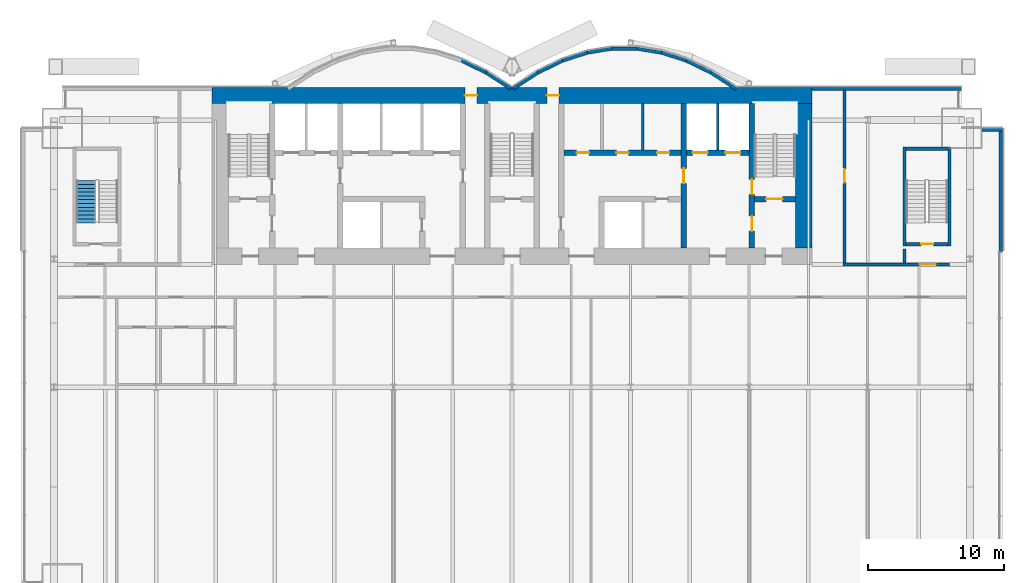
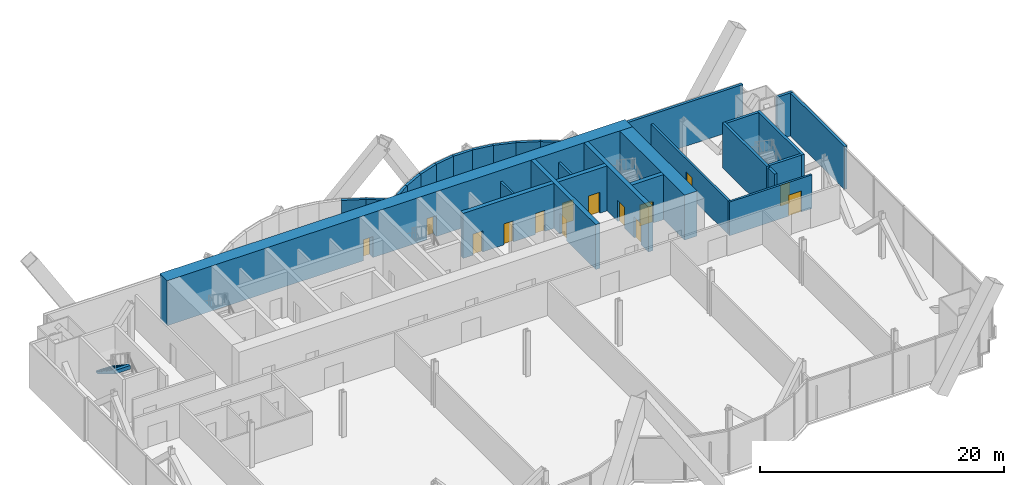
# One storey, part 17 of 21: 29 walls, 14 doors, 1 stair flight, 14 openings, 1 element without a shape of its own.
"""IFC4 building model written with IfcOpenShell, lengths in metres."""

from ifc_helpers import new_model, si_unit, direction, frame, frame_2d, origin, place, context, subcontext, project, spatial, polyline, rectangle, outline, extrude, material, layer, layer_set, layer_usage, type_object, element, fill, aggregate, save


model = new_model("IFC4")

# Units and contexts
model_context = context("Model", 3, precision=1e-05, world=origin(), true_north=direction((0.0, 1.0)))
body_context = subcontext(model_context, "Body", "Model", "MODEL_VIEW")
ifc_project = project(units=[si_unit("LENGTHUNIT", "METRE"), si_unit("AREAUNIT", "SQUARE_METRE"), si_unit("VOLUMEUNIT", "CUBIC_METRE"), si_unit("PLANEANGLEUNIT", "RADIAN"), si_unit("MASSUNIT", "GRAM", prefix="KILO")], contexts=[model_context])

# Site, building, storey
site_placement = place(None, origin())
site = spatial("IfcSite", under=ifc_project, at=site_placement, CompositionType="ELEMENT")
building_placement = place(site_placement, origin())
building = spatial("IfcBuilding", under=site, at=building_placement, Name="Bicima Exchange Tower", CompositionType="ELEMENT")
storey_placement = place(building_placement, frame((0.0, 0.0, 80.0)))
storey = spatial("IfcBuildingStorey", under=building, at=storey_placement, Name="L16", CompositionType="ELEMENT", Elevation=80.0)

# Wall
ifc_material_1 = material(Name="Gypsum board partition")
ifc_layer_1 = layer(ifc_material_1, 0.199951171875)
ifc_layer_set_1 = layer_set([ifc_layer_1], Name="Gypsum board partition")
wall_type_1 = type_object("IfcWallType", Name="Fire-rated gypsum partition 200 EI120", PredefinedType="PARTITIONING", material=ifc_layer_set_1)
wall_1_placement = place(storey_placement, frame((15.10009765625, -4.60009765625, 0.0), z_axis=(0.0, 0.0, 1.0), x_axis=(0.0, 1.0, 0.0)))
element("IfcWall", 1, at=wall_1_placement, inside=storey, type_object=wall_type_1, Name="partition wall 24", PredefinedType="PARTITIONING", context=body_context, shape_type="SweptSolid", body=[
    extrude(rectangle(XDim=3.400146484375, YDim=0.199951171875, at=frame_2d((1.7001953125, 0.0))), origin(), (0.0, 0.0, 1.0), 3.3681640625),
])

# Wall, opening, door
ifc_layer_2 = layer(ifc_material_1, 0.199951171875)
ifc_layer_set_2 = layer_set([ifc_layer_2], Name="Gypsum board partition")
wall_type_2 = type_object("IfcWallType", Name="Fire-rated gypsum partition 200 EI60", PredefinedType="PARTITIONING", material=ifc_layer_set_2)
wall_2_placement = place(storey_placement, frame((24.300048828125, -13.0, 0.0), z_axis=(0.0, 0.0, 1.0), x_axis=(1.0, 0.0, 0.0)))
wall_2 = element("IfcWall", 2, at=wall_2_placement, inside=storey, type_object=wall_type_2, Name="partition wall 5", PredefinedType="PARTITIONING", context=body_context, shape_type="SweptSolid", body=[
    extrude(rectangle(XDim=7.800048828125, YDim=0.199951171875, at=frame_2d((3.89990234375, 0.0))), origin(), (0.0, 0.0, 1.0), 3.3681640625),
])
opening_1_placement = place(wall_2_placement, frame((5.60009765625, 0.0, 0.0)))
opening_1 = element("IfcOpeningElement", 3, at=opening_1_placement, cuts=wall_2, Name="Opening L16-003", PredefinedType="OPENING", context=body_context, shape_type="SweptSolid", body=[
    extrude(rectangle(XDim=1.199951171875, YDim=2.10009765625, at=frame_2d((0.60009765625, 1.050048828125))), frame((0.0, 0.11181640625, 0.0), z_axis=(0.0, -1.0, 0.0), x_axis=(1.0, 0.0, 0.0)), (0.0, 0.0, 1.0), 0.223876953125),
])
ifc_material_2 = material(Name="Steel fire door leaf", Category="steel")
door_type_1 = type_object("IfcDoorType", Name="Door 1200 swing FD30S", OperationType="SINGLE_SWING_LEFT", PredefinedType="DOOR", material=ifc_material_2)
door_1_placement = place(opening_1_placement, origin())
door_1 = element("IfcDoor", 4, at=door_1_placement, inside=storey, type_object=door_type_1, Name="Door", OperationType="SINGLE_SWING_RIGHT", OverallHeight=2.10009765625, OverallWidth=1.199951171875, PredefinedType="DOOR", context=body_context, shape_type="SweptSolid", body=[
    extrude(rectangle(XDim=1.199951171875, YDim=2.10009765625, at=frame_2d((0.60009765625, 1.050048828125))), frame((0.0, 0.02490234375, 0.0), z_axis=(0.0, -1.0, 0.0), x_axis=(1.0, 0.0, 0.0)), (0.0, 0.0, 1.0), 0.050048828125),
])
fill(opening_1, door_1)

wall_3_placement = place(storey_placement, frame((24.39990234375, -12.89990234375, 0.0), z_axis=(0.0, 0.0, 1.0), x_axis=(0.0, 1.0, 0.0)))
wall_3 = element("IfcWall", 5, at=wall_3_placement, inside=storey, type_object=wall_type_2, Name="partition wall 24", PredefinedType="PARTITIONING", context=body_context, shape_type="SweptSolid", body=[
    extrude(rectangle(XDim=12.68994140625, YDim=0.199951171875, at=frame_2d((6.344970703125, 0.0))), origin(), (0.0, 0.0, 1.0), 3.3681640625),
])
opening_2_placement = place(wall_3_placement, frame((5.89990234375, 0.0, 0.0)))
opening_2 = element("IfcOpeningElement", 6, at=opening_2_placement, cuts=wall_3, Name="Opening L16-006", PredefinedType="OPENING", context=body_context, shape_type="SweptSolid", body=[
    extrude(rectangle(XDim=1.0, YDim=2.10009765625, at=frame_2d((0.5, 1.050048828125))), frame((0.0, 0.11181640625, 0.0), z_axis=(0.0, -1.0, 0.0), x_axis=(1.0, 0.0, 0.0)), (0.0, 0.0, 1.0), 0.223876953125),
])
door_type_2 = type_object("IfcDoorType", Name="Door 1000 swing FD30S", OperationType="SINGLE_SWING_LEFT", PredefinedType="DOOR", material=ifc_material_2)
door_2_placement = place(opening_2_placement, frame((1.0, 0.0, 0.0), z_axis=(0.0, 0.0, 1.0), x_axis=(-1.0, 0.0, 0.0)))
door_2 = element("IfcDoor", 7, at=door_2_placement, inside=storey, type_object=door_type_2, Name="Door", OperationType="SINGLE_SWING_RIGHT", OverallHeight=2.10009765625, OverallWidth=1.0, PredefinedType="DOOR", context=body_context, shape_type="SweptSolid", body=[
    extrude(rectangle(XDim=1.0, YDim=2.10009765625, at=frame_2d((0.5, 1.050048828125))), frame((0.0, 0.02490234375, 0.0), z_axis=(0.0, -1.0, 0.0), x_axis=(1.0, 0.0, 0.0)), (0.0, 0.0, 1.0), 0.050048828125),
])
fill(opening_2, door_2)

# Wall
wall_4_placement = place(storey_placement, frame((9.60009765625, -4.60009765625, 0.0), z_axis=(0.0, 0.0, 1.0), x_axis=(0.0, 1.0, 0.0)))
element("IfcWall", 8, at=wall_4_placement, inside=storey, type_object=wall_type_2, Name="partition wall 22", PredefinedType="PARTITIONING", context=body_context, shape_type="SweptSolid", body=[
    extrude(rectangle(XDim=3.400146484375, YDim=0.199951171875, at=frame_2d((1.7001953125, 0.0))), origin(), (0.0, 0.0, 1.0), 3.3681640625),
])

# Wall, openings, doors
ifc_material_3 = material(Name="Concrete C60/75", Category="concrete")
ifc_layer_3 = layer(ifc_material_3, 1.199951171875)
ifc_layer_set_3 = layer_set([ifc_layer_3], Name="Concrete C60/75")
wall_type_3 = type_object("IfcWallType", Name="RC core wall 1200 C60/75", PredefinedType="SHEAR", material=ifc_layer_set_3)
wall_5_placement = place(storey_placement, frame((-22.0, -0.60009765625, 0.0), z_axis=(0.0, 0.0, 1.0), x_axis=(1.0, 0.0, 0.0)))
wall_5 = element("IfcWall", 9, at=wall_5_placement, inside=storey, type_object=wall_type_3, Name="Core wall north", PredefinedType="SHEAR", context=body_context, shape_type="SweptSolid", body=[
    extrude(rectangle(XDim=44.0, YDim=1.199951171875, at=frame_2d((22.0, 0.0))), origin(), (0.0, 0.0, 1.0), 4.5),
])
opening_3_placement = place(wall_5_placement, frame((18.550048828125, 0.0, 0.0)))
opening_3 = element("IfcOpeningElement", 10, at=opening_3_placement, cuts=wall_5, Name="Opening L16-C17", PredefinedType="OPENING", context=body_context, shape_type="SweptSolid", body=[
    extrude(rectangle(XDim=0.89990234375, YDim=2.10009765625, at=frame_2d((0.449951171875, 1.050048828125))), frame((0.0, 0.61181640625, 0.0), z_axis=(0.0, -1.0, 0.0), x_axis=(1.0, 0.0, 0.0)), (0.0, 0.0, 1.0), 1.223876953125),
])
opening_4_placement = place(wall_5_placement, frame((24.550048828125, 0.0, 0.0)))
opening_4 = element("IfcOpeningElement", 11, at=opening_4_placement, cuts=wall_5, Name="Opening L16-C18", PredefinedType="OPENING", context=body_context, shape_type="SweptSolid", body=[
    extrude(rectangle(XDim=0.89990234375, YDim=2.10009765625, at=frame_2d((0.449951171875, 1.050048828125))), frame((0.0, 0.61181640625, 0.0), z_axis=(0.0, -1.0, 0.0), x_axis=(1.0, 0.0, 0.0)), (0.0, 0.0, 1.0), 1.223876953125),
])
door_type_3 = type_object("IfcDoorType", Name="Door 900 swing FD30S", OperationType="SINGLE_SWING_LEFT", PredefinedType="DOOR", material=ifc_material_2)
door_3_placement = place(opening_3_placement, origin())
door_3 = element("IfcDoor", 12, at=door_3_placement, inside=storey, type_object=door_type_3, Name="Core door", OperationType="SINGLE_SWING_LEFT", OverallHeight=2.10009765625, OverallWidth=0.89990234375, PredefinedType="DOOR", context=body_context, shape_type="SweptSolid", body=[
    extrude(rectangle(XDim=0.89990234375, YDim=2.10009765625, at=frame_2d((0.449951171875, 1.050048828125))), frame((0.0, 0.02490234375, 0.0), z_axis=(0.0, -1.0, 0.0), x_axis=(1.0, 0.0, 0.0)), (0.0, 0.0, 1.0), 0.050048828125),
])
fill(opening_3, door_3)
door_4_placement = place(opening_4_placement, origin())
door_4 = element("IfcDoor", 13, at=door_4_placement, inside=storey, type_object=door_type_3, Name="Core door", OperationType="SINGLE_SWING_LEFT", OverallHeight=2.10009765625, OverallWidth=0.89990234375, PredefinedType="DOOR", context=body_context, shape_type="SweptSolid", body=[
    extrude(rectangle(XDim=0.89990234375, YDim=2.10009765625, at=frame_2d((0.449951171875, 1.050048828125))), frame((0.0, 0.02490234375, 0.0), z_axis=(0.0, -1.0, 0.0), x_axis=(1.0, 0.0, 0.0)), (0.0, 0.0, 1.0), 0.050048828125),
])
fill(opening_4, door_4)

# Walls
wall_6_placement = place(storey_placement, frame((21.39990234375, -11.800048828125, 0.0), z_axis=(0.0, 0.0, 1.0), x_axis=(0.0, 1.0, 0.0)))
element("IfcWall", 14, at=wall_6_placement, inside=storey, type_object=wall_type_3, Name="Core wall east", PredefinedType="SHEAR", context=body_context, shape_type="SweptSolid", body=[
    extrude(rectangle(XDim=10.60009765625, YDim=1.199951171875, at=frame_2d((5.300048828125, 0.0))), origin(), (0.0, 0.0, 1.0), 4.5),
])
ifc_material_4 = material(Name="Concrete C50/60", Category="concrete")
ifc_layer_4 = layer(ifc_material_4, 0.25)
ifc_layer_set_4 = layer_set([ifc_layer_4], Name="Concrete C50/60")
wall_type_4 = type_object("IfcWallType", Name="RC core wall 250 C50/60", PredefinedType="SHEAR", material=ifc_layer_set_4)
wall_7_placement = place(storey_placement, frame((28.800048828125, -12.89990234375, 0.0), z_axis=(0.0, 0.0, 1.0), x_axis=(0.0, 1.0, 0.0)))
element("IfcWall", 15, at=wall_7_placement, inside=storey, type_object=wall_type_4, Name="stair wall 26", PredefinedType="SHEAR", context=body_context, shape_type="SweptSolid", body=[
    extrude(rectangle(XDim=1.0498046875, YDim=0.25, at=frame_2d((0.52490234375, 0.0))), origin(), (0.0, 0.0, 1.0), 4.5),
])

# Wall, opening, door
ifc_layer_5 = layer(ifc_material_4, 0.39990234375)
ifc_layer_set_5 = layer_set([ifc_layer_5], Name="Concrete C50/60")
wall_type_5 = type_object("IfcWallType", Name="RC core wall 400 C50/60", PredefinedType="SHEAR", material=ifc_layer_set_5)
wall_8_placement = place(storey_placement, frame((17.800048828125, -8.199951171875, 0.0), z_axis=(0.0, 0.0, 1.0), x_axis=(1.0, 0.0, 0.0)))
wall_8 = element("IfcWall", 16, at=wall_8_placement, inside=storey, type_object=wall_type_5, Name="stair wall 5", PredefinedType="SHEAR", context=body_context, shape_type="SweptSolid", body=[
    extrude(rectangle(XDim=3.0, YDim=0.39990234375, at=frame_2d((1.5, 0.0))), origin(), (0.0, 0.0, 1.0), 4.5),
])
opening_5_placement = place(wall_8_placement, frame((0.85009765625, 0.0, 0.0)))
opening_5 = element("IfcOpeningElement", 17, at=opening_5_placement, cuts=wall_8, Name="Opening L16-C04", PredefinedType="OPENING", context=body_context, shape_type="SweptSolid", body=[
    extrude(rectangle(XDim=1.199951171875, YDim=2.10009765625, at=frame_2d((0.60009765625, 1.050048828125))), frame((0.0, 0.2119140625, 0.0), z_axis=(0.0, -1.0, 0.0), x_axis=(1.0, 0.0, 0.0)), (0.0, 0.0, 1.0), 0.423828125),
])
door_type_4 = type_object("IfcDoorType", Name="Door 1200 swing FD60S", OperationType="SINGLE_SWING_LEFT", PredefinedType="DOOR", material=ifc_material_2)
door_5_placement = place(opening_5_placement, origin())
door_5 = element("IfcDoor", 18, at=door_5_placement, inside=storey, type_object=door_type_4, Name="Core door", OperationType="SINGLE_SWING_RIGHT", OverallHeight=2.10009765625, OverallWidth=1.199951171875, PredefinedType="DOOR", context=body_context, shape_type="SweptSolid", body=[
    extrude(rectangle(XDim=1.199951171875, YDim=2.10009765625, at=frame_2d((0.60009765625, 1.050048828125))), frame((0.0, 0.02490234375, 0.0), z_axis=(0.0, -1.0, 0.0), x_axis=(1.0, 0.0, 0.0)), (0.0, 0.0, 1.0), 0.050048828125),
])
fill(opening_5, door_5)

# Wall, openings, doors
wall_9_placement = place(storey_placement, frame((17.60009765625, -11.800048828125, 0.0), z_axis=(0.0, 0.0, 1.0), x_axis=(0.0, 1.0, 0.0)))
wall_9 = element("IfcWall", 19, at=wall_9_placement, inside=storey, type_object=wall_type_5, Name="stair wall 25", PredefinedType="SHEAR", context=body_context, shape_type="SweptSolid", body=[
    extrude(rectangle(XDim=10.60009765625, YDim=0.39990234375, at=frame_2d((5.300048828125, 0.0))), origin(), (0.0, 0.0, 1.0), 4.5),
])
opening_6_placement = place(wall_9_placement, frame((1.25, 0.0, 0.0)))
opening_6 = element("IfcOpeningElement", 20, at=opening_6_placement, cuts=wall_9, Name="Opening L16-C05", PredefinedType="OPENING", context=body_context, shape_type="SweptSolid", body=[
    extrude(rectangle(XDim=1.10009765625, YDim=2.10009765625, at=frame_2d((0.550048828125, 1.050048828125))), frame((0.0, 0.2119140625, 0.0), z_axis=(0.0, -1.0, 0.0), x_axis=(1.0, 0.0, 0.0)), (0.0, 0.0, 1.0), 0.423828125),
])
opening_7_placement = place(wall_9_placement, frame((3.949951171875, 0.0, 0.0)))
opening_7 = element("IfcOpeningElement", 21, at=opening_7_placement, cuts=wall_9, Name="Opening L16-C08", PredefinedType="OPENING", context=body_context, shape_type="SweptSolid", body=[
    extrude(rectangle(XDim=1.10009765625, YDim=2.10009765625, at=frame_2d((0.550048828125, 1.050048828125))), frame((0.0, 0.2119140625, 0.0), z_axis=(0.0, -1.0, 0.0), x_axis=(1.0, 0.0, 0.0)), (0.0, 0.0, 1.0), 0.423828125),
])
door_type_5 = type_object("IfcDoorType", Name="Door 1100 swing FD60S", OperationType="SINGLE_SWING_LEFT", PredefinedType="DOOR", material=ifc_material_2)
door_6_placement = place(opening_6_placement, origin())
door_6 = element("IfcDoor", 22, at=door_6_placement, inside=storey, type_object=door_type_5, Name="Core door", OperationType="SINGLE_SWING_LEFT", OverallHeight=2.10009765625, OverallWidth=1.10009765625, PredefinedType="DOOR", context=body_context, shape_type="SweptSolid", body=[
    extrude(rectangle(XDim=1.10009765625, YDim=2.10009765625, at=frame_2d((0.550048828125, 1.050048828125))), frame((0.0, 0.02490234375, 0.0), z_axis=(0.0, -1.0, 0.0), x_axis=(1.0, 0.0, 0.0)), (0.0, 0.0, 1.0), 0.050048828125),
])
fill(opening_6, door_6)
door_7_placement = place(opening_7_placement, origin())
door_7 = element("IfcDoor", 23, at=door_7_placement, inside=storey, type_object=door_type_5, Name="Core door", OperationType="SINGLE_SWING_RIGHT", OverallHeight=2.10009765625, OverallWidth=1.10009765625, PredefinedType="DOOR", context=body_context, shape_type="SweptSolid", body=[
    extrude(rectangle(XDim=1.10009765625, YDim=2.10009765625, at=frame_2d((0.550048828125, 1.050048828125))), frame((0.0, 0.02490234375, 0.0), z_axis=(0.0, -1.0, 0.0), x_axis=(1.0, 0.0, 0.0)), (0.0, 0.0, 1.0), 0.050048828125),
])
fill(opening_7, door_7)

ifc_layer_6 = layer(ifc_material_3, 0.39990234375)
ifc_layer_set_6 = layer_set([ifc_layer_6], Name="Concrete C60/75")
wall_type_6 = type_object("IfcWallType", Name="RC core wall 400 C60/75", PredefinedType="SHEAR", material=ifc_layer_set_6)
wall_10_placement = place(storey_placement, frame((3.800048828125, -4.800048828125, 0.0), z_axis=(0.0, 0.0, 1.0), x_axis=(1.0, 0.0, 0.0)))
wall_10 = element("IfcWall", 24, at=wall_10_placement, inside=storey, type_object=wall_type_6, Name="shear wall 7", PredefinedType="SHEAR", context=body_context, shape_type="SweptSolid", body=[
    extrude(rectangle(XDim=13.599853515625, YDim=0.39990234375, at=frame_2d((6.7998046875, 0.0))), origin(), (0.0, 0.0, 1.0), 4.5),
])
opening_8_placement = place(wall_10_placement, frame((9.449951171875, 0.0, 0.0)))
opening_8 = element("IfcOpeningElement", 25, at=opening_8_placement, cuts=wall_10, Name="Opening LD-FF2-L16", PredefinedType="OPENING", context=body_context, shape_type="SweptSolid", body=[
    extrude(rectangle(XDim=1.10009765625, YDim=2.10009765625, at=frame_2d((0.550048828125, 1.050048828125))), frame((0.0, 0.2119140625, 0.0), z_axis=(0.0, -1.0, 0.0), x_axis=(1.0, 0.0, 0.0)), (0.0, 0.0, 1.0), 0.423828125),
])
opening_9_placement = place(wall_10_placement, frame((11.85009765625, 0.0, 0.0)))
opening_9 = element("IfcOpeningElement", 26, at=opening_9_placement, cuts=wall_10, Name="Opening LD-SV1-L16", PredefinedType="OPENING", context=body_context, shape_type="SweptSolid", body=[
    extrude(rectangle(XDim=1.10009765625, YDim=2.10009765625, at=frame_2d((0.550048828125, 1.050048828125))), frame((0.0, 0.2119140625, 0.0), z_axis=(0.0, -1.0, 0.0), x_axis=(1.0, 0.0, 0.0)), (0.0, 0.0, 1.0), 0.423828125),
])
opening_10_placement = place(wall_10_placement, frame((0.949951171875, 0.0, 0.0)))
opening_10 = element("IfcOpeningElement", 27, at=opening_10_placement, cuts=wall_10, Name="Opening L16-C12", PredefinedType="OPENING", context=body_context, shape_type="SweptSolid", body=[
    extrude(rectangle(XDim=0.89990234375, YDim=2.10009765625, at=frame_2d((0.449951171875, 1.050048828125))), frame((0.0, 0.2119140625, 0.0), z_axis=(0.0, -1.0, 0.0), x_axis=(1.0, 0.0, 0.0)), (0.0, 0.0, 1.0), 0.423828125),
])
opening_11_placement = place(wall_10_placement, frame((3.85009765625, 0.0, 0.0)))
opening_11 = element("IfcOpeningElement", 28, at=opening_11_placement, cuts=wall_10, Name="Opening L16-C13", PredefinedType="OPENING", context=body_context, shape_type="SweptSolid", body=[
    extrude(rectangle(XDim=0.89990234375, YDim=2.10009765625, at=frame_2d((0.449951171875, 1.050048828125))), frame((0.0, 0.2119140625, 0.0), z_axis=(0.0, -1.0, 0.0), x_axis=(1.0, 0.0, 0.0)), (0.0, 0.0, 1.0), 0.423828125),
])
opening_12_placement = place(wall_10_placement, frame((6.85009765625, 0.0, 0.0)))
opening_12 = element("IfcOpeningElement", 29, at=opening_12_placement, cuts=wall_10, Name="Opening L16-C14", PredefinedType="OPENING", context=body_context, shape_type="SweptSolid", body=[
    extrude(rectangle(XDim=0.89990234375, YDim=2.10009765625, at=frame_2d((0.449951171875, 1.050048828125))), frame((0.0, 0.2119140625, 0.0), z_axis=(0.0, -1.0, 0.0), x_axis=(1.0, 0.0, 0.0)), (0.0, 0.0, 1.0), 0.423828125),
])
door_8_placement = place(opening_10_placement, origin())
door_8 = element("IfcDoor", 30, at=door_8_placement, inside=storey, type_object=door_type_3, Name="Core door", OperationType="SINGLE_SWING_RIGHT", OverallHeight=2.10009765625, OverallWidth=0.89990234375, PredefinedType="DOOR", context=body_context, shape_type="SweptSolid", body=[
    extrude(rectangle(XDim=0.89990234375, YDim=2.10009765625, at=frame_2d((0.449951171875, 1.050048828125))), frame((0.0, 0.02490234375, 0.0), z_axis=(0.0, -1.0, 0.0), x_axis=(1.0, 0.0, 0.0)), (0.0, 0.0, 1.0), 0.050048828125),
])
fill(opening_10, door_8)
door_9_placement = place(opening_11_placement, origin())
door_9 = element("IfcDoor", 31, at=door_9_placement, inside=storey, type_object=door_type_3, Name="Core door", OperationType="SINGLE_SWING_LEFT", OverallHeight=2.10009765625, OverallWidth=0.89990234375, PredefinedType="DOOR", context=body_context, shape_type="SweptSolid", body=[
    extrude(rectangle(XDim=0.89990234375, YDim=2.10009765625, at=frame_2d((0.449951171875, 1.050048828125))), frame((0.0, 0.02490234375, 0.0), z_axis=(0.0, -1.0, 0.0), x_axis=(1.0, 0.0, 0.0)), (0.0, 0.0, 1.0), 0.050048828125),
])
fill(opening_11, door_9)
door_10_placement = place(opening_12_placement, origin())
door_10 = element("IfcDoor", 32, at=door_10_placement, inside=storey, type_object=door_type_3, Name="Core door", OperationType="SINGLE_SWING_RIGHT", OverallHeight=2.10009765625, OverallWidth=0.89990234375, PredefinedType="DOOR", context=body_context, shape_type="SweptSolid", body=[
    extrude(rectangle(XDim=0.89990234375, YDim=2.10009765625, at=frame_2d((0.449951171875, 1.050048828125))), frame((0.0, 0.02490234375, 0.0), z_axis=(0.0, -1.0, 0.0), x_axis=(1.0, 0.0, 0.0)), (0.0, 0.0, 1.0), 0.050048828125),
])
fill(opening_12, door_10)
ifc_material_5 = material(Name="Stainless steel", Category="steel")
door_type_6 = type_object("IfcDoorType", Name="Lift landing door 1100 sliding", OperationType="DOUBLE_DOOR_SLIDING", PredefinedType="DOOR", material=ifc_material_5)
door_11_placement = place(opening_8_placement, origin())
door_11 = element("IfcDoor", 33, at=door_11_placement, inside=storey, type_object=door_type_6, Name="Lift landing door FF2", OperationType="DOUBLE_DOOR_SLIDING", OverallHeight=2.10009765625, OverallWidth=1.10009765625, PredefinedType="DOOR", context=body_context, shape_type="SweptSolid", body=[
    extrude(rectangle(XDim=1.10009765625, YDim=2.10009765625, at=frame_2d((0.550048828125, 1.050048828125))), frame((0.0, 0.02490234375, 0.0), z_axis=(0.0, -1.0, 0.0), x_axis=(1.0, 0.0, 0.0)), (0.0, 0.0, 1.0), 0.050048828125),
])
fill(opening_8, door_11)
door_12_placement = place(opening_9_placement, origin())
door_12 = element("IfcDoor", 34, at=door_12_placement, inside=storey, type_object=door_type_6, Name="Lift landing door SV1", OperationType="DOUBLE_DOOR_SLIDING", OverallHeight=2.10009765625, OverallWidth=1.10009765625, PredefinedType="DOOR", context=body_context, shape_type="SweptSolid", body=[
    extrude(rectangle(XDim=1.10009765625, YDim=2.10009765625, at=frame_2d((0.550048828125, 1.050048828125))), frame((0.0, 0.02490234375, 0.0), z_axis=(0.0, -1.0, 0.0), x_axis=(1.0, 0.0, 0.0)), (0.0, 0.0, 1.0), 0.050048828125),
])
fill(opening_9, door_12)

# Wall, opening, door
wall_11_placement = place(storey_placement, frame((12.60009765625, -11.800048828125, 0.0), z_axis=(0.0, 0.0, 1.0), x_axis=(0.0, 1.0, 0.0)))
wall_11 = element("IfcWall", 35, at=wall_11_placement, inside=storey, type_object=wall_type_6, Name="shear wall 23", PredefinedType="SHEAR", context=body_context, shape_type="SweptSolid", body=[
    extrude(rectangle(XDim=10.60009765625, YDim=0.39990234375, at=frame_2d((5.300048828125, 0.0))), origin(), (0.0, 0.0, 1.0), 4.5),
])
opening_13_placement = place(wall_11_placement, frame((4.75, 0.0, 0.0)))
opening_13 = element("IfcOpeningElement", 36, at=opening_13_placement, cuts=wall_11, Name="Opening L16-C09", PredefinedType="OPENING", context=body_context, shape_type="SweptSolid", body=[
    extrude(rectangle(XDim=1.10009765625, YDim=2.10009765625, at=frame_2d((0.550048828125, 1.050048828125))), frame((0.0, 0.2119140625, 0.0), z_axis=(0.0, -1.0, 0.0), x_axis=(1.0, 0.0, 0.0)), (0.0, 0.0, 1.0), 0.423828125),
])
door_13_placement = place(opening_13_placement, frame((1.10009765625, 0.0, 0.0), z_axis=(0.0, 0.0, 1.0), x_axis=(-1.0, 0.0, 0.0)))
door_13 = element("IfcDoor", 37, at=door_13_placement, inside=storey, type_object=door_type_5, Name="Core door", OperationType="SINGLE_SWING_RIGHT", OverallHeight=2.10009765625, OverallWidth=1.10009765625, PredefinedType="DOOR", context=body_context, shape_type="SweptSolid", body=[
    extrude(rectangle(XDim=1.10009765625, YDim=2.10009765625, at=frame_2d((0.550048828125, 1.050048828125))), frame((0.0, 0.02490234375, 0.0), z_axis=(0.0, -1.0, 0.0), x_axis=(1.0, 0.0, 0.0)), (0.0, 0.0, 1.0), 0.050048828125),
])
fill(opening_13, door_13)

# Walls
ifc_layer_7 = layer(ifc_material_4, 0.25)
ifc_layer_set_7 = layer_set([ifc_layer_7], Name="Concrete C50/60")
wall_type_7 = type_object("IfcWallType", Name="RC stair enclosure wall 250 C50/60", PredefinedType="SHEAR", material=ifc_layer_set_7)
for number, where, z_axis, x_axis, name in (
    (38, (28.800048828125, -11.625, 0.0), (0.0, 0.0, 1.0), (0.0, 1.0, 0.0), "East end exit stair wall W"),
    (39, (32.10009765625, -11.625, 0.0), (0.0, 0.0, 1.0), (0.0, 1.0, 0.0), "East end exit stair wall E"),
):
    element("IfcWall", number, at=place(storey_placement, frame(where, z_axis=z_axis, x_axis=x_axis)), inside=storey, type_object=wall_type_7, Name=name, PredefinedType="SHEAR", context=body_context, shape_type="SweptSolid", body=[
        extrude(rectangle(XDim=7.25, YDim=0.25, at=frame_2d((3.625, 0.0))), origin(), (0.0, 0.0, 1.0), 4.5),
    ])

# Wall, opening, door
wall_12_placement = place(storey_placement, frame((28.925048828125, -11.5, 0.0), z_axis=(0.0, 0.0, 1.0), x_axis=(1.0, 0.0, 0.0)))
wall_12 = element("IfcWall", 40, at=wall_12_placement, inside=storey, type_object=wall_type_7, Name="East end exit stair wall S", PredefinedType="SHEAR", context=body_context, shape_type="SweptSolid", body=[
    extrude(rectangle(XDim=3.050048828125, YDim=0.25, at=frame_2d((1.52490234375, 0.0))), origin(), (0.0, 0.0, 1.0), 4.5),
])
opening_14_placement = place(wall_12_placement, frame((1.10009765625, 0.0, 0.0)))
opening_14 = element("IfcOpeningElement", 41, at=opening_14_placement, cuts=wall_12, Name="Opening L16-004", PredefinedType="OPENING", context=body_context, shape_type="SweptSolid", body=[
    extrude(rectangle(XDim=0.89990234375, YDim=2.10009765625, at=frame_2d((0.449951171875, 1.050048828125))), frame((0.0, 0.136962890625, 0.0), z_axis=(0.0, -1.0, 0.0), x_axis=(1.0, 0.0, 0.0)), (0.0, 0.0, 1.0), 0.27392578125),
])
door_type_7 = type_object("IfcDoorType", Name="Door 900 swing FD60S", OperationType="SINGLE_SWING_LEFT", PredefinedType="DOOR", material=ifc_material_2)
door_14_placement = place(opening_14_placement, origin())
door_14 = element("IfcDoor", 42, at=door_14_placement, inside=storey, type_object=door_type_7, Name="Door", OperationType="SINGLE_SWING_LEFT", OverallHeight=2.10009765625, OverallWidth=0.89990234375, PredefinedType="DOOR", context=body_context, shape_type="SweptSolid", body=[
    extrude(rectangle(XDim=0.89990234375, YDim=2.10009765625, at=frame_2d((0.449951171875, 1.050048828125))), frame((0.0, 0.02490234375, 0.0), z_axis=(0.0, -1.0, 0.0), x_axis=(1.0, 0.0, 0.0)), (0.0, 0.0, 1.0), 0.050048828125),
])
fill(opening_14, door_14)

# Walls
wall_13_placement = place(storey_placement, frame((28.925048828125, -4.5, 0.0), z_axis=(0.0, 0.0, 1.0), x_axis=(1.0, 0.0, 0.0)))
element("IfcWall", 43, at=wall_13_placement, inside=storey, type_object=wall_type_7, Name="East end exit stair wall N", PredefinedType="SHEAR", context=body_context, shape_type="SweptSolid", body=[
    extrude(rectangle(XDim=3.050048828125, YDim=0.25, at=frame_2d((1.52490234375, 0.0))), origin(), (0.0, 0.0, 1.0), 4.5),
])
ifc_material_6 = material(Name="Concrete C40/50", Category="concrete")
ifc_layer_8 = layer(ifc_material_6, 0.25)
ifc_layer_set_8 = layer_set([ifc_layer_8], Name="Concrete C40/50")
ifc_layer_usage = layer_usage(ifc_layer_set_8, "AXIS2", "POSITIVE", -0.125)
wall_type_8 = type_object("IfcWallType", Name="Rear backup wall 250", PredefinedType="STANDARD", material=ifc_layer_set_8)
wall_14_placement = place(storey_placement, frame((33.0, -0.125, 0.0), z_axis=(0.0, 0.0, 1.0), x_axis=(-1.0, 0.0, 0.0)))
element("IfcWall", 44, at=wall_14_placement, inside=storey, type_object=wall_type_8, material=ifc_layer_usage, Name="Rear backup wall L16 1", PredefinedType="STANDARD", context=body_context, shape_type="SweptSolid", body=[
    extrude(rectangle(XDim=11.0, YDim=0.25, at=frame_2d((5.5, 0.0))), origin(), (0.0, 0.0, 1.0), 4.300048828125),
])
wall_15_placement = place(storey_placement, frame((16.43212890625, -0.10498046875, 0.0), z_axis=(0.0, 0.0, 1.0), x_axis=(-0.83981312244, 0.542875602121, 0.0)))
element("IfcWall", 45, at=wall_15_placement, inside=storey, type_object=wall_type_8, material=ifc_layer_usage, Name="Rear backup wall L16 2", PredefinedType="STANDARD", context=body_context, shape_type="SweptSolid", body=[
    extrude(rectangle(XDim=2.182861328125, YDim=0.25, at=frame_2d((1.09130859375, 0.0))), origin(), (0.0, 0.0, 1.0), 4.300048828125),
])
wall_16_placement = place(storey_placement, frame((14.6123046875, 1.07275390625, 0.0), z_axis=(0.0, 0.0, 1.0), x_axis=(-0.89982408427, 0.436252928206, 0.0)))
element("IfcWall", 46, at=wall_16_placement, inside=storey, type_object=wall_type_8, material=ifc_layer_usage, Name="Rear backup wall L16 3", PredefinedType="STANDARD", context=body_context, shape_type="SweptSolid", body=[
    extrude(rectangle(XDim=2.03759765625, YDim=0.25, at=frame_2d((1.018798828125, 0.0))), origin(), (0.0, 0.0, 1.0), 4.300048828125),
])
wall_17_placement = place(storey_placement, frame((12.794921875, 1.955078125, 0.0), z_axis=(0.0, 0.0, 1.0), x_axis=(-0.951495806175, 0.307661714928, 0.0)))
element("IfcWall", 47, at=wall_17_placement, inside=storey, type_object=wall_type_8, material=ifc_layer_usage, Name="Rear backup wall L16 4", PredefinedType="STANDARD", context=body_context, shape_type="SweptSolid", body=[
    extrude(rectangle(XDim=1.9267578125, YDim=0.25, at=frame_2d((0.96337890625, 0.0))), origin(), (0.0, 0.0, 1.0), 4.300048828125),
])
wall_18_placement = place(storey_placement, frame((10.97998046875, 2.543212890625, 0.0), z_axis=(0.0, 0.0, 1.0), x_axis=(-0.987181718931, 0.159600293885, 0.0)))
element("IfcWall", 48, at=wall_18_placement, inside=storey, type_object=wall_type_8, material=ifc_layer_usage, Name="Rear backup wall L16 5", PredefinedType="STANDARD", context=body_context, shape_type="SweptSolid", body=[
    extrude(rectangle(XDim=1.857177734375, YDim=0.25, at=frame_2d((0.9287109375, 0.0))), origin(), (0.0, 0.0, 1.0), 4.300048828125),
])
wall_19_placement = place(storey_placement, frame((9.166748046875, 2.837890625, 0.0), z_axis=(0.0, 0.0, 1.0), x_axis=(-1.0, 0.0, 0.0)))
element("IfcWall", 49, at=wall_19_placement, inside=storey, type_object=wall_type_8, material=ifc_layer_usage, Name="Rear backup wall L16 6", PredefinedType="STANDARD", context=body_context, shape_type="SweptSolid", body=[
    extrude(rectangle(XDim=1.83349609375, YDim=0.25, at=frame_2d((0.916748046875, 0.0))), origin(), (0.0, 0.0, 1.0), 4.300048828125),
])
wall_20_placement = place(storey_placement, frame((7.353271484375, 2.839599609375, 0.0), z_axis=(0.0, 0.0, 1.0), x_axis=(-0.987181718931, -0.159600293885, 0.0)))
element("IfcWall", 50, at=wall_20_placement, inside=storey, type_object=wall_type_8, material=ifc_layer_usage, Name="Rear backup wall L16 7", PredefinedType="STANDARD", context=body_context, shape_type="SweptSolid", body=[
    extrude(rectangle(XDim=1.857177734375, YDim=0.25, at=frame_2d((0.9287109375, 0.0))), origin(), (0.0, 0.0, 1.0), 4.300048828125),
])
wall_21_placement = place(storey_placement, frame((5.538330078125, 2.5478515625, 0.0), z_axis=(0.0, 0.0, 1.0), x_axis=(-0.951495806175, -0.307661714928, 0.0)))
element("IfcWall", 51, at=wall_21_placement, inside=storey, type_object=wall_type_8, material=ifc_layer_usage, Name="Rear backup wall L16 8", PredefinedType="STANDARD", context=body_context, shape_type="SweptSolid", body=[
    extrude(rectangle(XDim=1.9267578125, YDim=0.25, at=frame_2d((0.96337890625, 0.0))), origin(), (0.0, 0.0, 1.0), 4.300048828125),
])
wall_22_placement = place(storey_placement, frame((3.72119140625, 1.961669921875, 0.0), z_axis=(0.0, 0.0, 1.0), x_axis=(-0.89982408427, -0.436252928206, 0.0)))
element("IfcWall", 52, at=wall_22_placement, inside=storey, type_object=wall_type_8, material=ifc_layer_usage, Name="Rear backup wall L16 9", PredefinedType="STANDARD", context=body_context, shape_type="SweptSolid", body=[
    extrude(rectangle(XDim=2.03759765625, YDim=0.25, at=frame_2d((1.018798828125, 0.0))), origin(), (0.0, 0.0, 1.0), 4.300048828125),
])
for number, where, z_axis, x_axis, name in (
    (53, (1.901123046875, 1.080078125, 0.0), (0.0, 0.0, 1.0), (-0.83981312244, -0.542875602121, 0.0), "Rear backup wall L16 10"),
    (54, (-0.06787109375, -0.10498046875, 0.0), (0.0, 0.0, 1.0), (-0.83981312244, 0.542875602121, 0.0), "Rear backup wall L16 11"),
):
    element("IfcWall", number, at=place(storey_placement, frame(where, z_axis=z_axis, x_axis=x_axis)), inside=storey, type_object=wall_type_8, material=ifc_layer_usage, Name=name, PredefinedType="STANDARD", context=body_context, shape_type="SweptSolid", body=[
        extrude(rectangle(XDim=2.182861328125, YDim=0.25, at=frame_2d((1.09130859375, 0.0))), origin(), (0.0, 0.0, 1.0), 4.300048828125),
    ])
wall_23_placement = place(storey_placement, frame((-1.8876953125, 1.07275390625, 0.0), z_axis=(0.0, 0.0, 1.0), x_axis=(-0.89982408427, 0.436252928206, 0.0)))
element("IfcWall", 55, at=wall_23_placement, inside=storey, type_object=wall_type_8, material=ifc_layer_usage, Name="Rear backup wall L16 12", PredefinedType="STANDARD", context=body_context, shape_type="SweptSolid", body=[
    extrude(rectangle(XDim=2.03759765625, YDim=0.25, at=frame_2d((1.018798828125, 0.0))), origin(), (0.0, 0.0, 1.0), 4.300048828125),
])
wall_24_placement = place(storey_placement, frame((35.875, -12.090087890625, 0.0), z_axis=(0.0, 0.0, 1.0), x_axis=(0.0, 1.0, 0.0)))
element("IfcWall", 56, at=wall_24_placement, inside=storey, type_object=wall_type_8, material=ifc_layer_usage, Name="Rear backup wall L16 50", PredefinedType="STANDARD", context=body_context, shape_type="SweptSolid", body=[
    extrude(rectangle(XDim=9.090087890625, YDim=0.25, at=frame_2d((4.544921875, 0.0))), origin(), (0.0, 0.0, 1.0), 4.300048828125),
])
wall_25_placement = place(storey_placement, frame((36.0, -3.125, 0.0), z_axis=(0.0, 0.0, 1.0), x_axis=(-1.0, 0.0, 0.0)))
element("IfcWall", 57, at=wall_25_placement, inside=storey, type_object=wall_type_8, material=ifc_layer_usage, Name="Rear backup wall L16 51", PredefinedType="STANDARD", context=body_context, shape_type="SweptSolid", body=[
    extrude(rectangle(XDim=1.5, YDim=0.25, at=frame_2d((0.75, 0.0))), origin(), (0.0, 0.0, 1.0), 4.300048828125),
])

# Stair, stair flight
stair_type = type_object("IfcStairType", Name="Exit stair", PredefinedType="HALF_TURN_STAIR", material=ifc_material_4)
stair_placement = place(storey_placement, origin())
stair = element("IfcStair", 58, at=stair_placement, inside=storey, type_object=stair_type, Name="L16 West end exit stair", PredefinedType="HALF_TURN_STAIR")
stair_flight_type = type_object("IfcStairFlightType", Name="Stair flight RC", PredefinedType="STRAIGHT", material=ifc_material_4)
stair_flight_placement = place(storey_placement, frame((-31.25, -6.844970703125, 2.25), z_axis=(0.0, 0.0, 1.0), x_axis=(0.0, -1.0, 0.0)))
stair_flight = element("IfcStairFlight", 59, at=stair_flight_placement, type_object=stair_flight_type, Name="ST-WW flight 2", NumberOfRisers=12, NumberOfTreads=11, PredefinedType="STRAIGHT", RiserHeight=0.1875, TreadLength=0.28, context=body_context, shape_type="SweptSolid", body=[
    extrude(outline(polyline([(0.0, 0.0), (0.0, 0.1875), (0.280029296875, 0.1875), (0.280029296875, 0.375), (0.56005859375, 0.375), (0.56005859375, 0.5625), (0.840087890625, 0.5625), (0.840087890625, 0.75), (1.1201171875, 0.75), (1.1201171875, 0.9375), (1.39990234375, 0.9375), (1.39990234375, 1.125), (1.679931640625, 1.125), (1.679931640625, 1.3125), (1.9599609375, 1.3125), (1.9599609375, 1.5), (2.239990234375, 1.5), (2.239990234375, 1.6875), (2.52001953125, 1.6875), (2.52001953125, 1.875), (2.800048828125, 1.875), (2.800048828125, 2.0625), (3.080078125, 2.0625), (3.094970703125, 2.0625), (3.094970703125, 1.70458984375), (0.26953125, 0.0), (0.0, 0.0)])), frame((0.0, 0.72509765625, 0.0), z_axis=(0.0, -1.0, 0.0), x_axis=(1.0, 0.0, 0.0)), (0.0, 0.0, 1.0), 1.449951171875),
])
aggregate(stair, [stair_flight])

save(model, "model.ifc")
